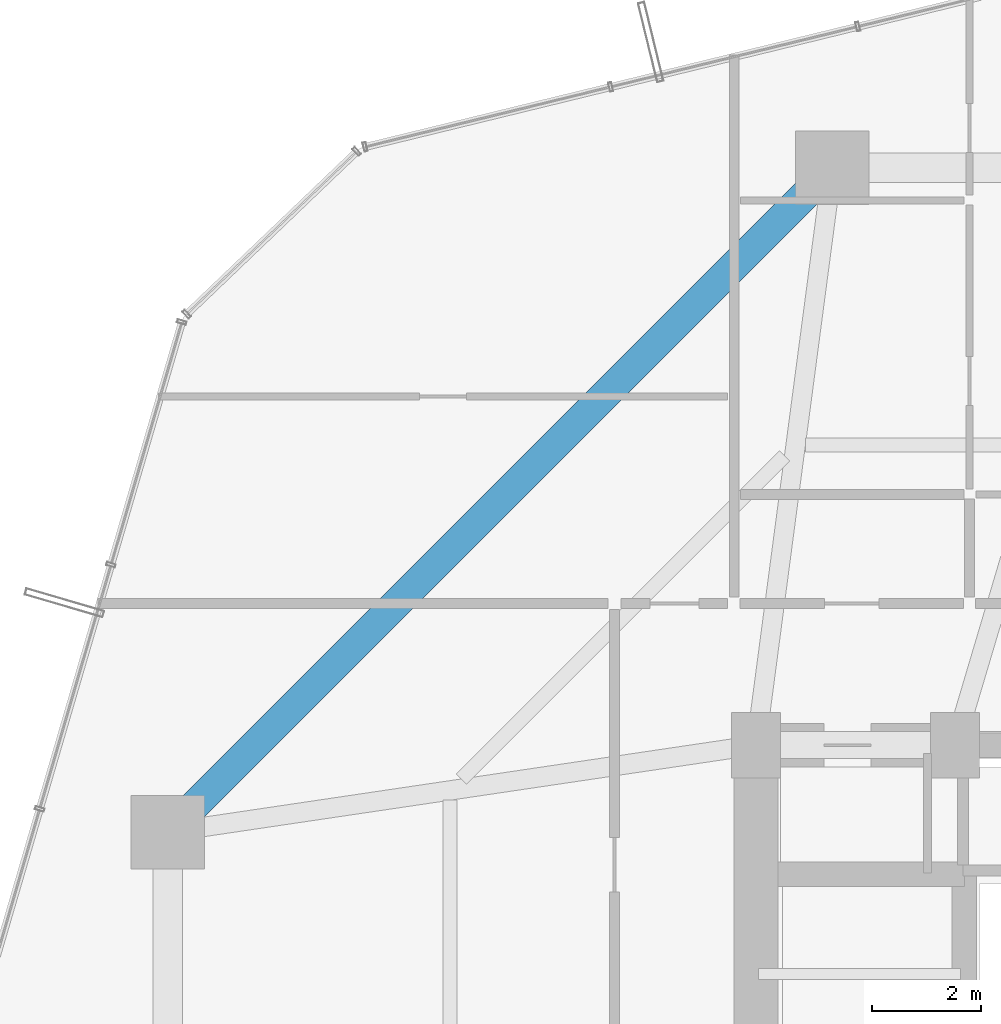
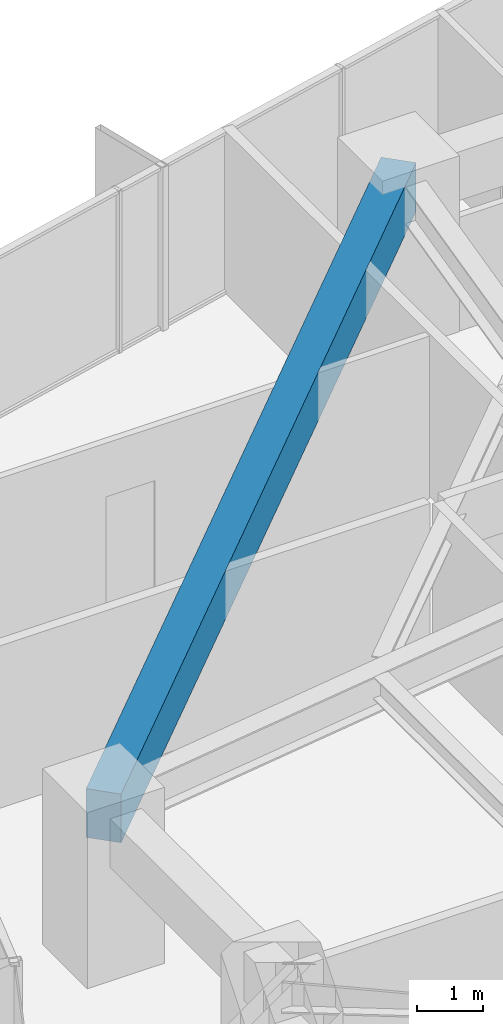
# One storey, part 21 of 37: 1 beam.
"""IFC4 building model written with IfcOpenShell, lengths in metres."""

from ifc_helpers import new_model, si_unit, direction, frame, origin, origin_2d, place, context, subcontext, project, spatial, rectangle, extrude, material, material_profile, profile_set, type_object, element, save


model = new_model("IFC4")

# Units and contexts
model_context = context("Model", 3, precision=1e-05, world=origin(), true_north=direction((0.0, 1.0)))
body_context = subcontext(model_context, "Body", "Model", "MODEL_VIEW")
ifc_project = project(units=[si_unit("LENGTHUNIT", "METRE"), si_unit("AREAUNIT", "SQUARE_METRE"), si_unit("VOLUMEUNIT", "CUBIC_METRE"), si_unit("PLANEANGLEUNIT", "RADIAN"), si_unit("MASSUNIT", "GRAM", prefix="KILO")], contexts=[model_context])

# Site, building, storey
site_placement = place(None, origin())
site = spatial("IfcSite", under=ifc_project, at=site_placement, CompositionType="ELEMENT")
building_placement = place(site_placement, origin())
building = spatial("IfcBuilding", under=site, at=building_placement, Name="Veraguas Prism Commons", CompositionType="ELEMENT")
storey_placement = place(building_placement, frame((0.0, 0.0, 70.60009765625)))
storey = spatial("IfcBuildingStorey", under=building, at=storey_placement, Name="L19", CompositionType="ELEMENT", Elevation=70.60009765625)

# Beam
ifc_material = material(Name="Concrete C50/60", Category="concrete")
ifc_material_profile = material_profile(ifc_material, rectangle(XDim=0.550048828125, YDim=0.89990234375, at=origin_2d()), Name="RC550X900")
ifc_profile_set = profile_set([ifc_material_profile], Name="Concrete C50/60")
beam_type = type_object("IfcBeamType", Name="Perimeter Spandrel Lower RC 550x900", PredefinedType="SPANDREL", material=ifc_profile_set)
beam_placement = place(storey_placement, frame((18.60009765625, 41.60009765625, 2.5498046875), z_axis=(-0.707106781187, -0.707106781187, 0.0), x_axis=(0.707106781187, -0.707106781187, 0.0)))
element("IfcBeam", 1, at=beam_placement, inside=storey, type_object=beam_type, Name="Perimeter Spandrel Beam L19-SP06", PredefinedType="SPANDREL", context=body_context, shape_type="SweptSolid", body=[
    extrude(rectangle(XDim=0.550048828125, YDim=0.89990234375, at=origin_2d()), origin(), (0.0, 0.0, 1.0), 17.253662109375),
])

save(model, "model.ifc")
